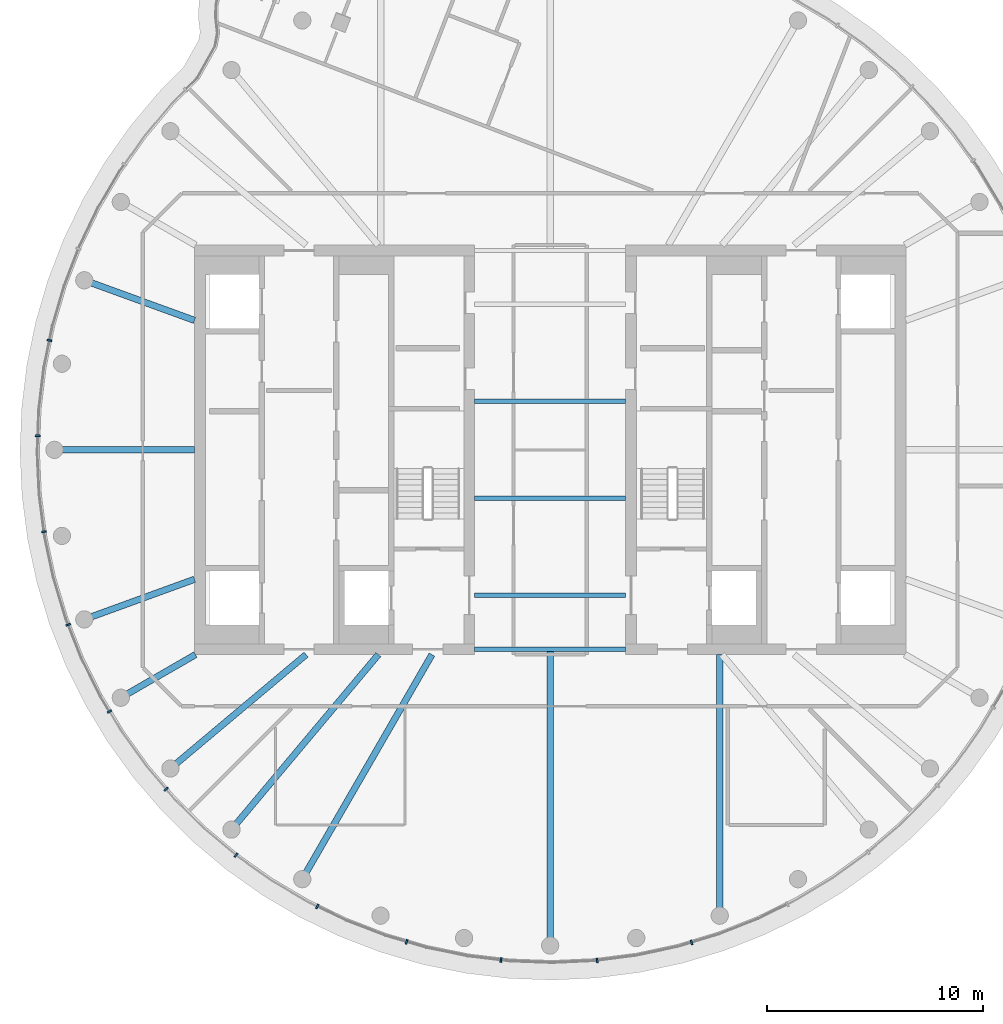
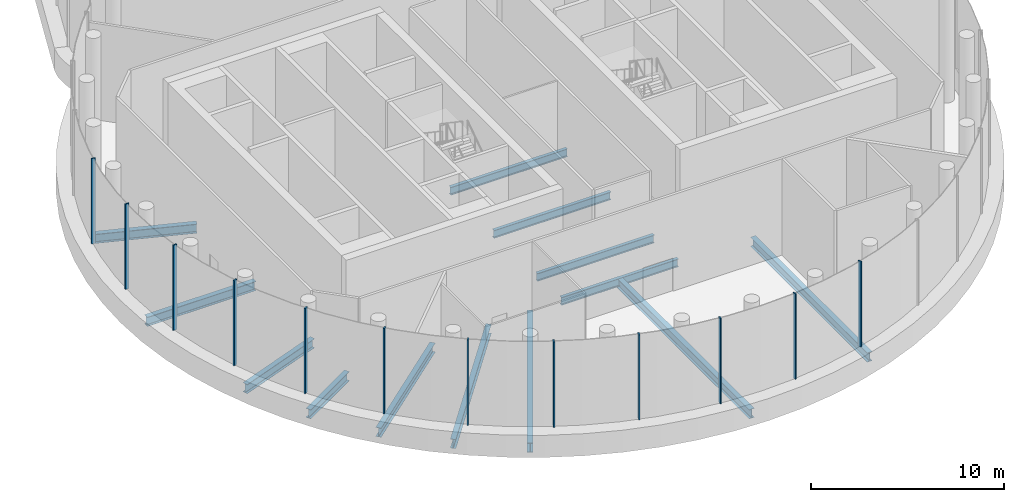
# One storey, part 2 of 12: 13 beams, 12 members, 1 element without a shape of its own.
"""IFC4 building model written with IfcOpenShell, lengths in metres."""

from ifc_helpers import new_model, si_unit, direction, frame, origin, origin_2d, place, context, subcontext, project, spatial, rectangle, i_section, extrude, material, layer, layer_set, material_profile, profile_set, type_object, element, aggregate, save


model = new_model("IFC4")

# Units and contexts
model_context = context("Model", 3, precision=1e-05, world=origin(), true_north=direction((0.0, 1.0)))
body_context = subcontext(model_context, "Body", "Model", "MODEL_VIEW")
ifc_project = project(units=[si_unit("LENGTHUNIT", "METRE"), si_unit("AREAUNIT", "SQUARE_METRE"), si_unit("VOLUMEUNIT", "CUBIC_METRE"), si_unit("PLANEANGLEUNIT", "RADIAN"), si_unit("MASSUNIT", "GRAM", prefix="KILO")], contexts=[model_context])

# Site, building, storey
site_placement = place(None, origin())
site = spatial("IfcSite", under=ifc_project, at=site_placement, CompositionType="ELEMENT")
building_placement = place(site_placement, origin())
building = spatial("IfcBuilding", under=site, at=building_placement, Name="Tamarind Cross Interchange Tower", CompositionType="ELEMENT")
storey_placement = place(building_placement, frame((0.0, 0.0, 287.39990234375)))
storey = spatial("IfcBuildingStorey", under=building, at=storey_placement, Name="L72", CompositionType="ELEMENT", Elevation=287.39990234375)

# Beams
ifc_material_1 = material(Name="Steel Q355B", Category="steel")
ifc_material_profile_1 = material_profile(ifc_material_1, i_section(OverallWidth=0.300048828125, OverallDepth=0.58203125, WebThickness=0.011962890625, FlangeThickness=0.01708984375, FilletRadius=0.01806640625, at=origin_2d()), Name="HM 582x300x12x17")
ifc_profile_set_1 = profile_set([ifc_material_profile_1], Name="Steel Q355B")
beam_type_1 = type_object("IfcBeamType", Name="Composite beam HM 582x300x12x17 Q355B", PredefinedType="BEAM", material=ifc_profile_set_1)
beam_1_placement = place(storey_placement, frame((-21.613037109375, 7.866455078125, -0.490966796875), z_axis=(0.939701685589, -0.341995236956, 0.0), x_axis=(0.341995236956, 0.939701685589, 0.0)))
element("IfcBeam", 1, at=beam_1_placement, inside=storey, type_object=beam_type_1, Name="Beam HH16", PredefinedType="BEAM", context=body_context, shape_type="SweptSolid", body=[
    extrude(i_section(OverallWidth=0.300048828125, OverallDepth=0.58203125, WebThickness=0.011962890625, FlangeThickness=0.01708984375, FilletRadius=0.01806640625, at=origin_2d()), origin(), (0.0, 0.0, 1.0), 5.441162109375),
])
beam_2_placement = place(storey_placement, frame((-23.0, 0.0, -0.490966796875), z_axis=(1.0, 0.0, 0.0), x_axis=(0.0, 1.0, 0.0)))
element("IfcBeam", 2, at=beam_2_placement, inside=storey, type_object=beam_type_1, Name="Beam HH18", PredefinedType="BEAM", context=body_context, shape_type="SweptSolid", body=[
    extrude(i_section(OverallWidth=0.300048828125, OverallDepth=0.58203125, WebThickness=0.011962890625, FlangeThickness=0.01708984375, FilletRadius=0.01806640625, at=origin_2d()), origin(), (0.0, 0.0, 1.0), 6.5),
])
beam_3_placement = place(storey_placement, frame((-21.613037109375, -7.866455078125, -0.490966796875), z_axis=(0.939701685589, 0.341995236956, 0.0), x_axis=(-0.341995236956, 0.939701685589, 0.0)))
element("IfcBeam", 3, at=beam_3_placement, inside=storey, type_object=beam_type_1, Name="Beam HH20", PredefinedType="BEAM", context=body_context, shape_type="SweptSolid", body=[
    extrude(i_section(OverallWidth=0.300048828125, OverallDepth=0.58203125, WebThickness=0.011962890625, FlangeThickness=0.01708984375, FilletRadius=0.01806640625, at=origin_2d()), origin(), (0.0, 0.0, 1.0), 5.441162109375),
])
beam_4_placement = place(storey_placement, frame((-19.918701171875, -11.5, -0.490966796875), z_axis=(0.866026010844, 0.49999894854, 0.0), x_axis=(-0.49999894854, 0.866026010844, 0.0)))
element("IfcBeam", 4, at=beam_4_placement, inside=storey, type_object=beam_type_1, Name="Beam HH21", PredefinedType="BEAM", context=body_context, shape_type="SweptSolid", body=[
    extrude(i_section(OverallWidth=0.300048828125, OverallDepth=0.58203125, WebThickness=0.011962890625, FlangeThickness=0.01708984375, FilletRadius=0.01806640625, at=origin_2d()), origin(), (0.0, 0.0, 1.0), 4.0),
])
beam_5_placement = place(storey_placement, frame((-17.619140625, -14.7841796875, -0.490966796875), z_axis=(0.766040580814, 0.642792212574, 0.0), x_axis=(-0.642792212574, 0.766040580814, 0.0)))
element("IfcBeam", 5, at=beam_5_placement, inside=storey, type_object=beam_type_1, Name="Beam HH22", PredefinedType="BEAM", context=body_context, shape_type="SweptSolid", body=[
    extrude(i_section(OverallWidth=0.300048828125, OverallDepth=0.58203125, WebThickness=0.011962890625, FlangeThickness=0.01708984375, FilletRadius=0.01806640625, at=origin_2d()), origin(), (0.0, 0.0, 1.0), 8.220703125),
])
beam_6_placement = place(storey_placement, frame((-14.7841796875, -17.619140625, -0.490966796875), z_axis=(0.642786293979, 0.766045547127, 0.0), x_axis=(-0.766045547127, 0.642786293979, 0.0)))
element("IfcBeam", 6, at=beam_6_placement, inside=storey, type_object=beam_type_1, Name="Beam HH23", PredefinedType="BEAM", context=body_context, shape_type="SweptSolid", body=[
    extrude(i_section(OverallWidth=0.300048828125, OverallDepth=0.58203125, WebThickness=0.011962890625, FlangeThickness=0.01708984375, FilletRadius=0.01806640625, at=origin_2d()), origin(), (0.0, 0.0, 1.0), 10.598876953125),
])
beam_7_placement = place(storey_placement, frame((-11.5, -19.918701171875, -0.490966796875), z_axis=(0.499993565836, 0.866029118519, 0.0), x_axis=(-0.866029118519, 0.499993565836, 0.0)))
element("IfcBeam", 7, at=beam_7_placement, inside=storey, type_object=beam_type_1, Name="Beam HH24", PredefinedType="BEAM", context=body_context, shape_type="SweptSolid", body=[
    extrude(i_section(OverallWidth=0.300048828125, OverallDepth=0.58203125, WebThickness=0.011962890625, FlangeThickness=0.01708984375, FilletRadius=0.01806640625, at=origin_2d()), origin(), (0.0, 0.0, 1.0), 12.030517578125),
])
beam_8_placement = place(storey_placement, frame((0.0, -23.0, -0.490966796875), z_axis=(0.0, 1.0, 0.0), x_axis=(-1.0, 0.0, 0.0)))
element("IfcBeam", 8, at=beam_8_placement, inside=storey, type_object=beam_type_1, Name="Beam HH27", PredefinedType="BEAM", context=body_context, shape_type="SweptSolid", body=[
    extrude(i_section(OverallWidth=0.300048828125, OverallDepth=0.58203125, WebThickness=0.011962890625, FlangeThickness=0.01708984375, FilletRadius=0.01806640625, at=origin_2d()), origin(), (0.0, 0.0, 1.0), 13.75),
])
beam_9_placement = place(storey_placement, frame((7.866455078125, -21.613037109375, -0.490966796875), z_axis=(0.0, 1.0, 0.0), x_axis=(-1.0, 0.0, 0.0)))
element("IfcBeam", 9, at=beam_9_placement, inside=storey, type_object=beam_type_1, Name="Beam HH29", PredefinedType="BEAM", context=body_context, shape_type="SweptSolid", body=[
    extrude(i_section(OverallWidth=0.300048828125, OverallDepth=0.58203125, WebThickness=0.011962890625, FlangeThickness=0.01708984375, FilletRadius=0.01806640625, at=origin_2d()), origin(), (0.0, 0.0, 1.0), 12.113037109375),
])
ifc_material_profile_2 = material_profile(ifc_material_1, i_section(OverallWidth=0.198974609375, OverallDepth=0.49609375, WebThickness=0.009033203125, FlangeThickness=0.013916015625, FilletRadius=0.012939453125, at=origin_2d()), Name="HN 496x199x9x14")
ifc_profile_set_2 = profile_set([ifc_material_profile_2], Name="Steel Q355B")
beam_type_2 = type_object("IfcBeamType", Name="Composite beam HN 496x199x9x14 Q355B", PredefinedType="BEAM", material=ifc_profile_set_2)
for number, where, z_axis, x_axis, name in (
    (10, (-3.5, -2.25, -0.447998046875), (1.0, 0.0, 0.0), (0.0, 1.0, 0.0), "Beam G-2.25"),
    (11, (-3.5, -6.75, -0.447998046875), (1.0, 0.0, 0.0), (0.0, 1.0, 0.0), "Beam G-6.75"),
    (12, (-3.5, -9.25, -0.447998046875), (1.0, 0.0, 0.0), (0.0, 1.0, 0.0), "Beam G-9.25"),
    (13, (-3.5, 2.25, -0.447998046875), (1.0, 0.0, 0.0), (0.0, 1.0, 0.0), "Beam G2.25"),
):
    element("IfcBeam", number, at=place(storey_placement, frame(where, z_axis=z_axis, x_axis=x_axis)), inside=storey, type_object=beam_type_2, Name=name, PredefinedType="BEAM", context=body_context, shape_type="SweptSolid", body=[
        extrude(i_section(OverallWidth=0.198974609375, OverallDepth=0.49609375, WebThickness=0.009033203125, FlangeThickness=0.013916015625, FilletRadius=0.012939453125, at=origin_2d()), origin(), (0.0, 0.0, 1.0), 7.0),
    ])

# Curtain wall, members
ifc_material_2 = material(Name="Aluminium 6063-T6", Category="aluminium")
ifc_layer = layer(ifc_material_2, 0.219970703125)
ifc_layer_set = layer_set([ifc_layer], Name="Aluminium 6063-T6")
curtain_wall_type = type_object("IfcCurtainWallType", Name="Observation deck curtain wall", PredefinedType="NOTDEFINED", material=ifc_layer_set)
curtain_wall_placement = place(storey_placement, origin())
curtain_wall = element("IfcCurtainWall", 14, at=curtain_wall_placement, inside=storey, type_object=curtain_wall_type, Name="CWS-L72-02", PredefinedType="NOTDEFINED")
ifc_material_profile_3 = material_profile(ifc_material_2, rectangle(XDim=0.080078125, YDim=0.219970703125, at=origin_2d()), Name="Mullion CW5")
ifc_profile_set_3 = profile_set([ifc_material_profile_3], Name="Aluminium 6063-T6")
member_type = type_object("IfcMemberType", Name="Mullion CW5", PredefinedType="MULLION", material=ifc_profile_set_3)
member_1_placement = place(storey_placement, frame((-23.228759765625, 5.07861328125, 1.400146484375), z_axis=(0.0, 0.0, 1.0), x_axis=(-0.201001463943, -0.9795909409, 0.0)))
member_1 = element("IfcMember", 15, at=member_1_placement, type_object=member_type, Name="CWM-L72-02-04", PredefinedType="MULLION", context=body_context, shape_type="SweptSolid", body=[
    extrude(rectangle(XDim=0.080078125, YDim=0.219970703125, at=origin_2d()), origin(), (0.0, 0.0, 1.0), 5.39990234375),
])
member_2_placement = place(storey_placement, frame((-23.767578125, 0.652587890625, 1.400146484375), z_axis=(0.0, 0.0, 1.0), x_axis=(-0.037024696392, -0.999314350871, 0.0)))
member_2 = element("IfcMember", 16, at=member_2_placement, type_object=member_type, Name="CWM-L72-02-05", PredefinedType="MULLION", context=body_context, shape_type="SweptSolid", body=[
    extrude(rectangle(XDim=0.080078125, YDim=0.219970703125, at=origin_2d()), origin(), (0.0, 0.0, 1.0), 5.39990234375),
])
member_3_placement = place(storey_placement, frame((-23.482421875, -3.797607421875, 1.400146484375), z_axis=(0.0, 0.0, 1.0), x_axis=(0.127962008342, -0.991779070368, 0.0)))
member_3 = element("IfcMember", 17, at=member_3_placement, type_object=member_type, Name="CWM-L72-02-06", PredefinedType="MULLION", context=body_context, shape_type="SweptSolid", body=[
    extrude(rectangle(XDim=0.080078125, YDim=0.219970703125, at=origin_2d()), origin(), (0.0, 0.0, 1.0), 5.39990234375),
])
member_4_placement = place(storey_placement, frame((-22.358642578125, -8.11279296875, 1.400146484375), z_axis=(0.0, 0.0, 1.0), x_axis=(0.367513773146, -0.930018078613, 0.0)))
member_4 = element("IfcMember", 18, at=member_4_placement, type_object=member_type, Name="CWM-L72-02-07", PredefinedType="MULLION", context=body_context, shape_type="SweptSolid", body=[
    extrude(rectangle(XDim=0.080078125, YDim=0.219970703125, at=origin_2d()), origin(), (0.0, 0.0, 1.0), 5.39990234375),
])
member_5_placement = place(storey_placement, frame((-20.443115234375, -12.1396484375, 1.400146484375), z_axis=(0.0, 0.0, 1.0), x_axis=(0.515577308909, -0.856843065292, 0.0)))
member_5 = element("IfcMember", 19, at=member_5_placement, type_object=member_type, Name="CWM-L72-02-08", PredefinedType="MULLION", context=body_context, shape_type="SweptSolid", body=[
    extrude(rectangle(XDim=0.080078125, YDim=0.219970703125, at=origin_2d()), origin(), (0.0, 0.0, 1.0), 5.39990234375),
])
member_6_placement = place(storey_placement, frame((-17.8193359375, -15.74462890625, 1.400146484375), z_axis=(0.0, 0.0, 1.0), x_axis=(0.64957723968, -0.760295606781, 0.0)))
member_6 = element("IfcMember", 20, at=member_6_placement, type_object=member_type, Name="CWM-L72-02-09", PredefinedType="MULLION", context=body_context, shape_type="SweptSolid", body=[
    extrude(rectangle(XDim=0.080078125, YDim=0.219970703125, at=origin_2d()), origin(), (0.0, 0.0, 1.0), 5.39990234375),
])
member_7_placement = place(storey_placement, frame((-14.576171875, -18.80615234375, 1.400146484375), z_axis=(0.0, 0.0, 1.0), x_axis=(0.765858396687, -0.643009266048, 0.0)))
member_7 = element("IfcMember", 21, at=member_7_placement, type_object=member_type, Name="CWM-L72-02-10", PredefinedType="MULLION", context=body_context, shape_type="SweptSolid", body=[
    extrude(rectangle(XDim=0.080078125, YDim=0.219970703125, at=origin_2d()), origin(), (0.0, 0.0, 1.0), 5.39990234375),
])
member_8_placement = place(storey_placement, frame((-10.80419921875, -21.184814453125, 1.400146484375), z_axis=(0.0, 0.0, 1.0), x_axis=(0.900272776334, -0.435326231914, 0.0)))
member_8 = element("IfcMember", 22, at=member_8_placement, type_object=member_type, Name="CWM-L72-02-11", PredefinedType="MULLION", context=body_context, shape_type="SweptSolid", body=[
    extrude(rectangle(XDim=0.080078125, YDim=0.219970703125, at=origin_2d()), origin(), (0.0, 0.0, 1.0), 5.39990234375),
])
member_9_placement = place(storey_placement, frame((-6.65771484375, -22.82421875, 1.400146484375), z_axis=(0.0, 0.0, 1.0), x_axis=(0.95964657186, -0.281208920763, 0.0)))
member_9 = element("IfcMember", 23, at=member_9_placement, type_object=member_type, Name="CWM-L72-02-12", PredefinedType="MULLION", context=body_context, shape_type="SweptSolid", body=[
    extrude(rectangle(XDim=0.080078125, YDim=0.219970703125, at=origin_2d()), origin(), (0.0, 0.0, 1.0), 5.39990234375),
])
member_10_placement = place(storey_placement, frame((-2.2802734375, -23.672607421875, 1.400146484375), z_axis=(0.0, 0.0, 1.0), x_axis=(0.992843710523, -0.119420963295, 0.0)))
member_10 = element("IfcMember", 24, at=member_10_placement, type_object=member_type, Name="CWM-L72-02-13", PredefinedType="MULLION", context=body_context, shape_type="SweptSolid", body=[
    extrude(rectangle(XDim=0.080078125, YDim=0.219970703125, at=origin_2d()), origin(), (0.0, 0.0, 1.0), 5.39990234375),
])
member_11_placement = place(storey_placement, frame((2.178955078125, -23.69140625, 1.400146484375), z_axis=(0.0, 0.0, 1.0), x_axis=(0.991779070368, 0.127962008342, 0.0)))
member_11 = element("IfcMember", 25, at=member_11_placement, type_object=member_type, Name="CWM-L72-02-14", PredefinedType="MULLION", context=body_context, shape_type="SweptSolid", body=[
    extrude(rectangle(XDim=0.080078125, YDim=0.219970703125, at=origin_2d()), origin(), (0.0, 0.0, 1.0), 5.39990234375),
])
member_12_placement = place(storey_placement, frame((6.5595703125, -22.855224609375, 1.400146484375), z_axis=(0.0, 0.0, 1.0), x_axis=(0.957190642199, 0.289458243079, 0.0)))
member_12 = element("IfcMember", 26, at=member_12_placement, type_object=member_type, Name="CWM-L72-02-15", PredefinedType="MULLION", context=body_context, shape_type="SweptSolid", body=[
    extrude(rectangle(XDim=0.080078125, YDim=0.219970703125, at=origin_2d()), origin(), (0.0, 0.0, 1.0), 5.39990234375),
])
aggregate(curtain_wall, [member_1, member_2, member_3, member_4, member_5, member_6, member_7, member_8, member_9, member_10, member_11, member_12])

save(model, "model.ifc")
